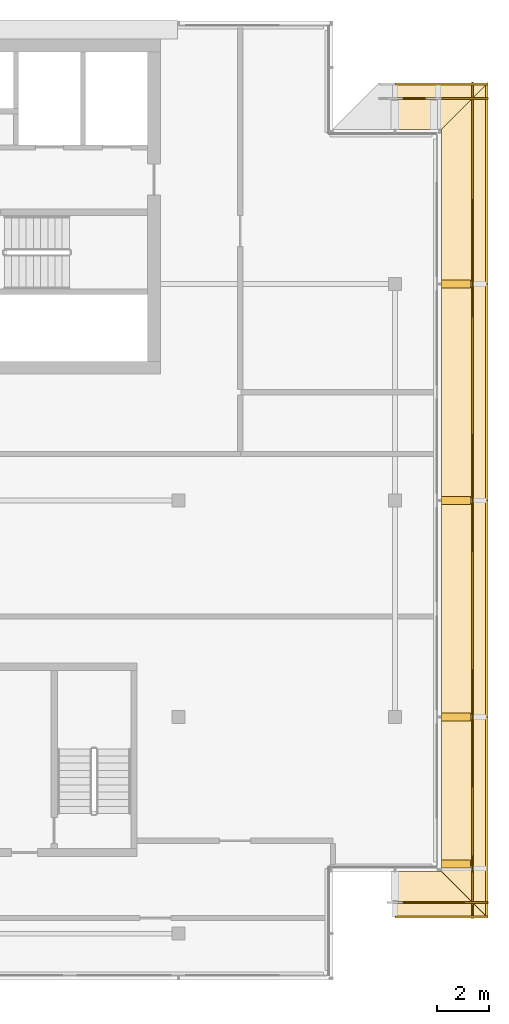
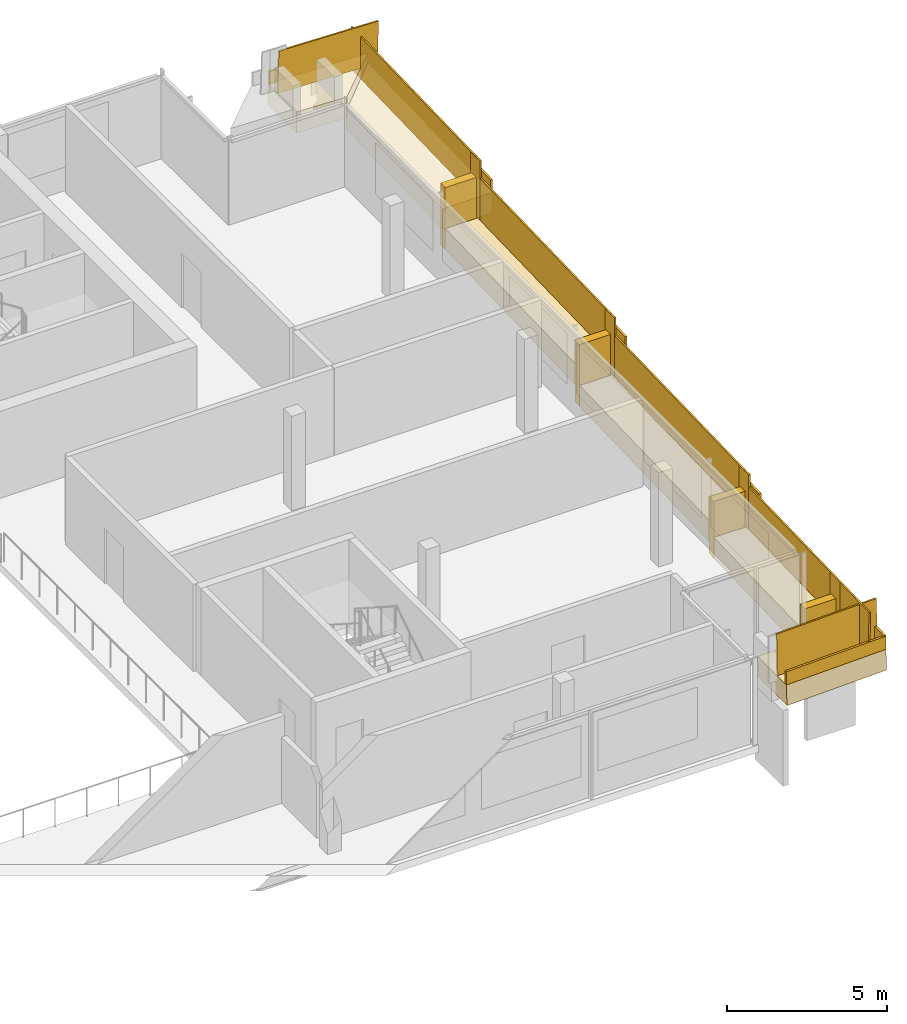
# One storey, part 19 of 20: 16 coverings, 10 railings.
"""IFC4 building model written with IfcOpenShell, lengths in metres."""

from ifc_helpers import new_model, si_unit, direction, frame, origin, origin_2d, place, context, subcontext, project, spatial, polyline, rectangle, outline, extrude, material, layer, layer_set, type_object, element, save


model = new_model("IFC4")

# Units and contexts
model_context = context("Model", 3, precision=1e-05, world=origin(), true_north=direction((0.0, 1.0)))
body_context = subcontext(model_context, "Body", "Model", "MODEL_VIEW")
ifc_project = project(units=[si_unit("LENGTHUNIT", "METRE"), si_unit("AREAUNIT", "SQUARE_METRE"), si_unit("VOLUMEUNIT", "CUBIC_METRE"), si_unit("PLANEANGLEUNIT", "RADIAN"), si_unit("MASSUNIT", "GRAM", prefix="KILO")], contexts=[model_context])

# Site, building, storey
site_placement = place(None, origin())
site = spatial("IfcSite", under=ifc_project, at=site_placement, CompositionType="ELEMENT")
building_placement = place(site_placement, origin())
building = spatial("IfcBuilding", under=site, at=building_placement, Name="Saffron Gate Tower", CompositionType="ELEMENT")
storey_placement = place(building_placement, frame((0.0, 0.0, 303.14990234375)))
storey = spatial("IfcBuildingStorey", under=building, at=storey_placement, Name="L74", CompositionType="ELEMENT", Elevation=303.14990234375)

# Coverings
ifc_material = material(Name="Timber, thermally modified ash", Category="wood")
ifc_layer_1 = layer(ifc_material, 0.800048828125)
ifc_layer_set_1 = layer_set([ifc_layer_1], Name="LD1 ledge timber")
covering_type_1 = type_object("IfcCoveringType", Name="LD1 ledge timber", PredefinedType="CLADDING", material=ifc_layer_set_1)
covering_1_placement = place(storey_placement, frame((117.0, 42.60009765625, -0.00390625), z_axis=(-0.028831989003, -4.5191205e-05, 0.999584270769), x_axis=(0.999584271789, 2.041e-09, 0.028831989032)))
element("IfcCovering", 1, at=covering_1_placement, inside=storey, type_object=covering_type_1, Name="LEDGE", PredefinedType="CLADDING", context=body_context, shape_type="SweptSolid", body=[
    extrude(outline(polyline([(0.0, 0.0), (1.8007998167885757, 0.0), (3.6015925908427215, -1.800048837315338), (-3.6746077267916745e-09, -1.80004882628693), (0.0, 0.0)])), origin(), (0.0, 0.0, -1.0), 0.800048828125),
])
covering_2_placement = place(storey_placement, frame((118.800048828125, 42.60009765625, 0.188232421875), z_axis=(-2.391759e-05, -0.028789477025, 0.999585496814), x_axis=(1.72e-10, 0.9995854971, 0.028789477033)))
element("IfcCovering", 2, at=covering_2_placement, inside=storey, type_object=covering_type_1, Name="LEDGE", PredefinedType="CLADDING", context=body_context, shape_type="SweptSolid", body=[
    extrude(outline(polyline([(0.0, 0.0), (6.002489288687248, -8.470329472543003e-22), (6.002489288996045, -1.8000488276101398), (-1.800792782710612, -1.8000488299785034), (0.0, 0.0)])), origin(), (0.0, 0.0, -1.0), 0.800048828125),
])
for number, where, z_axis, x_axis, name in (
    (3, (118.800048828125, 48.60009765625, 0.82861328125), (0.0, -0.028791175352, 0.999585448184), (0.0, 0.999585448184, 0.028791175352), "LEDGE"),
    (4, (118.800048828125, 57.0, 1.72509765625), (0.0, -0.028791175352, 0.999585448184), (0.0, 0.999585448184, 0.028791175352), "LEDGE"),
):
    element("IfcCovering", number, at=place(storey_placement, frame(where, z_axis=z_axis, x_axis=x_axis)), inside=storey, type_object=covering_type_1, Name=name, PredefinedType="CLADDING", context=body_context, shape_type="SweptSolid", body=[
        extrude(outline(polyline([(0.0, 0.0), (8.403385982666892, 0.0), (8.403385982666892, -1.800048828125), (0.0, -1.800048828125), (0.0, 0.0)])), origin(), (0.0, 0.0, -1.0), 0.800048828125),
    ])
covering_3_placement = place(storey_placement, frame((118.800048828125, 65.39990234375, 2.621337890625), z_axis=(-3.5027307e-05, -0.028807146299, 0.99958498743), x_axis=(-3.68e-10, 0.999584988043, 0.028807146316)))
element("IfcCovering", 5, at=covering_3_placement, inside=storey, type_object=covering_type_1, Name="LEDGE", PredefinedType="CLADDING", context=body_context, shape_type="SweptSolid", body=[
    extrude(outline(polyline([(0.0, 0.0), (6.0024892885105, -2.541098841762901e-21), (7.8032891020589235, -1.8000488321003227), (-6.622937652878055e-10, -1.8000488270207489), (0.0, 0.0)])), origin(), (0.0, 0.0, -1.0), 0.800048828125),
])
covering_4_placement = place(storey_placement, frame((118.800048828125, 71.39990234375, 3.26171875), z_axis=(0.028741681402, 0.0, 0.999586872538), x_axis=(-0.999586872538, 0.0, 0.028741681402)))
element("IfcCovering", 6, at=covering_4_placement, inside=storey, type_object=covering_type_1, Name="LEDGE", PredefinedType="CLADDING", context=body_context, shape_type="SweptSolid", body=[
    extrude(outline(polyline([(0.0, 0.0), (1.8007927850779974, 0.0), (1.8007927850779974, -1.800048828125), (-1.8007927850779974, -1.800048828125), (0.0, 0.0)])), origin(), (0.0, 0.0, -1.0), 0.800048828125),
])
ifc_layer_2 = layer(ifc_material, 0.080078125)
ifc_layer_set_2 = layer_set([ifc_layer_2], Name="LD2 ledge planter trough")
covering_type_2 = type_object("IfcCoveringType", Name="LD2 ledge planter trough", PredefinedType="CLADDING", material=ifc_layer_set_2)
covering_5_placement = place(storey_placement, frame((117.0, 40.800048828125, -0.00390625), z_axis=(0.0, -1.0, 0.0), x_axis=(0.99958492274, 0.0, 0.028809412191)))
element("IfcCovering", 7, at=covering_5_placement, inside=storey, type_object=covering_type_2, Name="LEDGE planter trough", PredefinedType="CLADDING", context=body_context, shape_type="SweptSolid", body=[
    extrude(outline(polyline([(0.0, 0.0), (3.601592595435983, 0.0), (3.6159973015313485, 0.4997924613700232), (0.014404706095365512, 0.4997924613700232), (0.0, 0.0)])), origin(), (0.0, 0.0, -1.0), 0.080078125),
])
covering_6_placement = place(storey_placement, frame((120.60009765625, 40.800048828125, 0.136474609375), z_axis=(1.0, 0.0, 0.0), x_axis=(0.0, 0.999585655924, 0.028783962047)))
element("IfcCovering", 8, at=covering_6_placement, inside=storey, type_object=covering_type_2, Name="LEDGE planter trough", PredefinedType="CLADDING", context=body_context, shape_type="SweptSolid", body=[
    extrude(outline(polyline([(0.0, 0.0), (7.803282071825423, 2.7755575615628914e-17), (7.817674052849086, 0.4997928279619612), (0.014391981023662846, 0.4997928279619612), (0.0, 0.0)])), origin(), (0.0, 0.0, -1.0), 0.080078125),
])
for number, where, z_axis, x_axis, name in (
    (9, (120.60009765625, 48.60009765625, 0.82861328125), (1.0, 0.0, 0.0), (0.0, 0.999585448184, 0.028791175352), "LEDGE planter trough"),
    (10, (120.60009765625, 57.0, 1.72509765625), (1.0, 0.0, 0.0), (0.0, 0.999585448184, 0.028791175352), "LEDGE planter trough"),
):
    element("IfcCovering", number, at=place(storey_placement, frame(where, z_axis=z_axis, x_axis=x_axis)), inside=storey, type_object=covering_type_2, Name=name, PredefinedType="CLADDING", context=body_context, shape_type="SweptSolid", body=[
        extrude(outline(polyline([(0.0, 0.0), (8.403385982666892, 0.0), (8.417781570342743, 0.49979272409216496), (0.014395587675851172, 0.4997927240921649), (0.0, 0.0)])), origin(), (0.0, 0.0, -1.0), 0.080078125),
    ])
covering_7_placement = place(storey_placement, frame((120.60009765625, 65.39990234375, 2.621337890625), z_axis=(1.0, 0.0, 0.0), x_axis=(0.0, 0.999584755248, 0.028815222999)))
element("IfcCovering", 11, at=covering_7_placement, inside=storey, type_object=covering_type_2, Name="LEDGE planter trough", PredefinedType="CLADDING", context=body_context, shape_type="SweptSolid", body=[
    extrude(outline(polyline([(0.0, 0.0), (7.803289102975944, 0.0), (7.8176967144752565, 0.4997923776238338), (0.014407611499312996, 0.4997923776238338), (0.0, 0.0)])), origin(), (0.0, 0.0, -1.0), 0.080078125),
])
covering_8_placement = place(storey_placement, frame((120.60009765625, 73.199951171875, 3.2099609375), z_axis=(0.0, 1.0, 0.0), x_axis=(-0.999586872538, 0.0, 0.028741681402)))
element("IfcCovering", 12, at=covering_8_placement, inside=storey, type_object=covering_type_2, Name="LEDGE planter trough", PredefinedType="CLADDING", context=body_context, shape_type="SweptSolid", body=[
    extrude(outline(polyline([(0.0, 0.0), (3.601585570155995, 0.0), (3.6159564108570694, 0.49979343626896944), (0.014370840701074394, 0.4997934362689694), (0.0, 0.0)])), origin(), (0.0, 0.0, -1.0), 0.080078125),
])
ifc_layer_3 = layer(ifc_material, 0.300048828125)
ifc_layer_set_3 = layer_set([ifc_layer_3], Name="LD3 ledge riser fin")
covering_type_3 = type_object("IfcCoveringType", Name="LD3 ledge riser fin", PredefinedType="CLADDING", material=ifc_layer_set_3)
covering_9_placement = place(storey_placement, frame((119.360107421875, 42.89990234375, -0.751953125), z_axis=(0.0, 0.0, 1.0), x_axis=(0.0, 1.0, 0.0)))
element("IfcCovering", 13, at=covering_9_placement, inside=storey, type_object=covering_type_3, Name="LEDGE riser fin", PredefinedType="CLADDING", context=body_context, shape_type="SweptSolid", body=[
    extrude(rectangle(XDim=0.300048828125, YDim=1.1201171875, at=origin_2d()), origin(), (0.0, 0.0, 1.0), 1.84033203125),
])
covering_10_placement = place(storey_placement, frame((119.360107421875, 48.60009765625, -0.43896484375), z_axis=(0.0, 0.0, 1.0), x_axis=(0.0, 1.0, 0.0)))
element("IfcCovering", 14, at=covering_10_placement, inside=storey, type_object=covering_type_3, Name="LEDGE riser fin", PredefinedType="CLADDING", context=body_context, shape_type="SweptSolid", body=[
    extrude(rectangle(XDim=0.300048828125, YDim=1.1201171875, at=origin_2d()), origin(), (0.0, 0.0, 1.0), 2.16748046875),
])
for number, where, z_axis, x_axis, name in (
    (15, (119.360107421875, 57.0, 0.2705078125), (0.0, 0.0, 1.0), (0.0, 1.0, 0.0), "LEDGE riser fin"),
    (16, (119.360107421875, 65.39990234375, 1.1669921875), (0.0, 0.0, 1.0), (0.0, 1.0, 0.0), "LEDGE riser fin"),
):
    element("IfcCovering", number, at=place(storey_placement, frame(where, z_axis=z_axis, x_axis=x_axis)), inside=storey, type_object=covering_type_3, Name=name, PredefinedType="CLADDING", context=body_context, shape_type="SweptSolid", body=[
        extrude(rectangle(XDim=0.300048828125, YDim=1.1201171875, at=origin_2d()), origin(), (0.0, 0.0, 1.0), 2.3544921875),
    ])

# Railings
railing_type = type_object("IfcRailingType", Name="LG1 ledge balustrade", PredefinedType="BALUSTRADE", material=ifc_material)
railing_1_placement = place(storey_placement, frame((117.0, 41.39990234375, -0.00390625)))
element("IfcRailing", 17, at=railing_1_placement, inside=storey, type_object=railing_type, Name="LEDGE BALUSTRADE", PredefinedType="BALUSTRADE", context=body_context, shape_type="SweptSolid", body=[
    extrude(rectangle(XDim=0.06005859375, YDim=1.60009765625, at=origin_2d()), frame((0.0, 0.0, 0.800048828125), z_axis=(0.99958492274, 0.0, 0.028809412191), x_axis=(0.0, 1.0, 0.0)), (0.0, 0.0, 1.0), 3.6015625),
])
railing_2_placement = place(storey_placement, frame((120.0, 40.800048828125, 0.136474609375)))
element("IfcRailing", 18, at=railing_2_placement, inside=storey, type_object=railing_type, Name="LEDGE BALUSTRADE", PredefinedType="BALUSTRADE", context=body_context, shape_type="SweptSolid", body=[
    extrude(rectangle(XDim=0.06005859375, YDim=1.60009765625, at=origin_2d()), frame((0.0, 0.0, 0.800048828125), z_axis=(0.0, 0.999585655924, 0.028783962047), x_axis=(-1.0, 0.0, 0.0)), (0.0, 0.0, 1.0), 7.80322265625),
])
railing_3_placement = place(storey_placement, frame((120.0, 42.60009765625, 0.048095703125)))
element("IfcRailing", 19, at=railing_3_placement, inside=storey, type_object=railing_type, Name="LEDGE BALUSTRADE", PredefinedType="BALUSTRADE", context=body_context, shape_type="SweptSolid", body=[
    extrude(rectangle(XDim=0.06005859375, YDim=1.740234375, at=origin_2d()), frame((0.0, 0.0, 0.8701171875), z_axis=(0.0, 1.0, 0.0), x_axis=(-1.0, 0.0, 0.0)), (0.0, 0.0, 1.0), 0.599853515625),
])
railing_4_placement = place(storey_placement, frame((120.0, 48.60009765625, 0.82861328125)))
element("IfcRailing", 20, at=railing_4_placement, inside=storey, type_object=railing_type, Name="LEDGE BALUSTRADE", PredefinedType="BALUSTRADE", context=body_context, shape_type="SweptSolid", body=[
    extrude(rectangle(XDim=0.06005859375, YDim=1.60009765625, at=origin_2d()), frame((0.0, 0.0, 0.800048828125), z_axis=(0.0, 0.999585448184, 0.028791175352), x_axis=(-1.0, 0.0, 0.0)), (0.0, 0.0, 1.0), 8.4033203125),
])
railing_5_placement = place(storey_placement, frame((120.0, 48.300048828125, 0.361083984375)))
element("IfcRailing", 21, at=railing_5_placement, inside=storey, type_object=railing_type, Name="LEDGE BALUSTRADE", PredefinedType="BALUSTRADE", context=body_context, shape_type="SweptSolid", body=[
    extrude(rectangle(XDim=0.06005859375, YDim=2.0673828125, at=origin_2d()), frame((0.0, 0.0, 1.03369140625), z_axis=(0.0, 1.0, 0.0), x_axis=(-1.0, 0.0, 0.0)), (0.0, 0.0, 1.0), 0.599853515625),
])
railing_6_placement = place(storey_placement, frame((120.0, 57.0, 1.72509765625)))
element("IfcRailing", 22, at=railing_6_placement, inside=storey, type_object=railing_type, Name="LEDGE BALUSTRADE", PredefinedType="BALUSTRADE", context=body_context, shape_type="SweptSolid", body=[
    extrude(rectangle(XDim=0.06005859375, YDim=1.60009765625, at=origin_2d()), frame((0.0, 0.0, 0.800048828125), z_axis=(0.0, 0.999585448184, 0.028791175352), x_axis=(-1.0, 0.0, 0.0)), (0.0, 0.0, 1.0), 8.4033203125),
])
railing_7_placement = place(storey_placement, frame((120.0, 56.699951171875, 1.070556640625)))
element("IfcRailing", 23, at=railing_7_placement, inside=storey, type_object=railing_type, Name="LEDGE BALUSTRADE", PredefinedType="BALUSTRADE", context=body_context, shape_type="SweptSolid", body=[
    extrude(rectangle(XDim=0.06005859375, YDim=2.25439453125, at=origin_2d()), frame((0.0, 0.0, 1.127197265625), z_axis=(0.0, 1.0, 0.0), x_axis=(-1.0, 0.0, 0.0)), (0.0, 0.0, 1.0), 0.60009765625),
])
railing_8_placement = place(storey_placement, frame((120.0, 65.39990234375, 2.621337890625)))
element("IfcRailing", 24, at=railing_8_placement, inside=storey, type_object=railing_type, Name="LEDGE BALUSTRADE", PredefinedType="BALUSTRADE", context=body_context, shape_type="SweptSolid", body=[
    extrude(rectangle(XDim=0.06005859375, YDim=1.60009765625, at=origin_2d()), frame((0.0, 0.0, 0.800048828125), z_axis=(0.0, 0.999584755248, 0.028815222999), x_axis=(-1.0, 0.0, 0.0)), (0.0, 0.0, 1.0), 7.80322265625),
])
railing_9_placement = place(storey_placement, frame((120.0, 65.10009765625, 1.967041015625)))
element("IfcRailing", 25, at=railing_9_placement, inside=storey, type_object=railing_type, Name="LEDGE BALUSTRADE", PredefinedType="BALUSTRADE", context=body_context, shape_type="SweptSolid", body=[
    extrude(rectangle(XDim=0.06005859375, YDim=2.25439453125, at=origin_2d()), frame((0.0, 0.0, 1.127197265625), z_axis=(0.0, 1.0, 0.0), x_axis=(-1.0, 0.0, 0.0)), (0.0, 0.0, 1.0), 0.599853515625),
])
railing_10_placement = place(storey_placement, frame((120.60009765625, 72.60009765625, 3.2099609375)))
element("IfcRailing", 26, at=railing_10_placement, inside=storey, type_object=railing_type, Name="LEDGE BALUSTRADE", PredefinedType="BALUSTRADE", context=body_context, shape_type="SweptSolid", body=[
    extrude(rectangle(XDim=0.06005859375, YDim=1.60009765625, at=origin_2d()), frame((0.0, 0.0, 0.800048828125), z_axis=(-0.999586872538, 0.0, 0.028741681402), x_axis=(0.0, -1.0, 0.0)), (0.0, 0.0, 1.0), 3.6015625),
])

save(model, "model.ifc")
